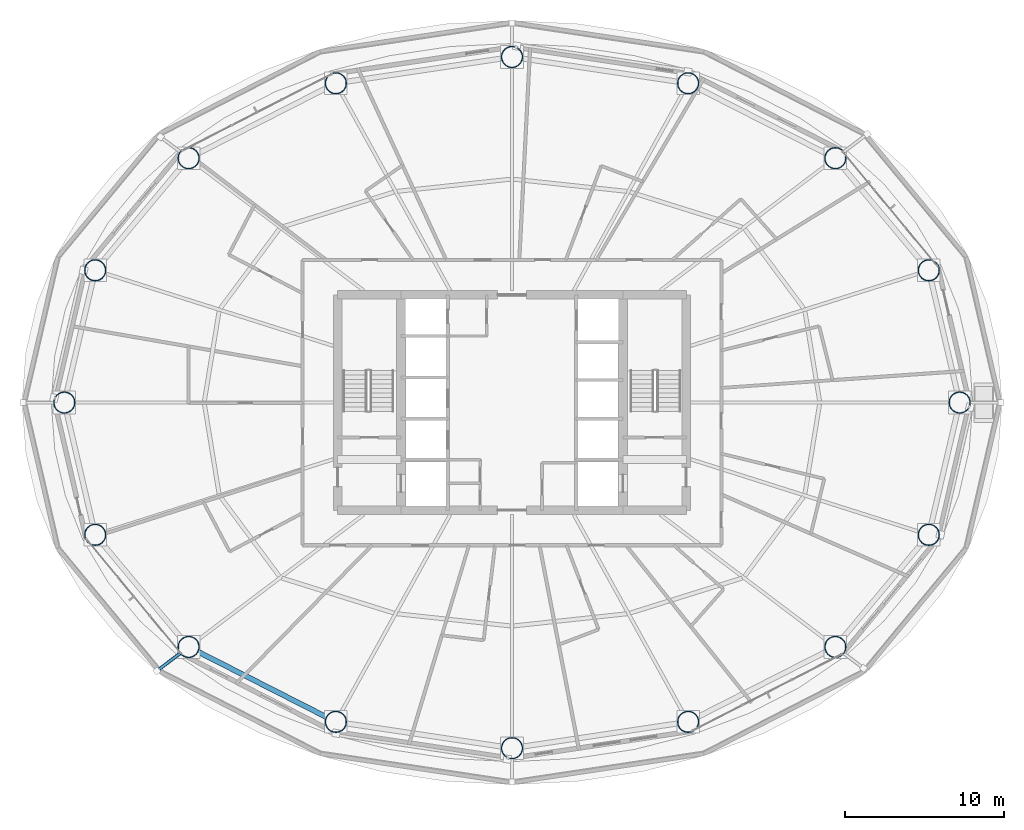
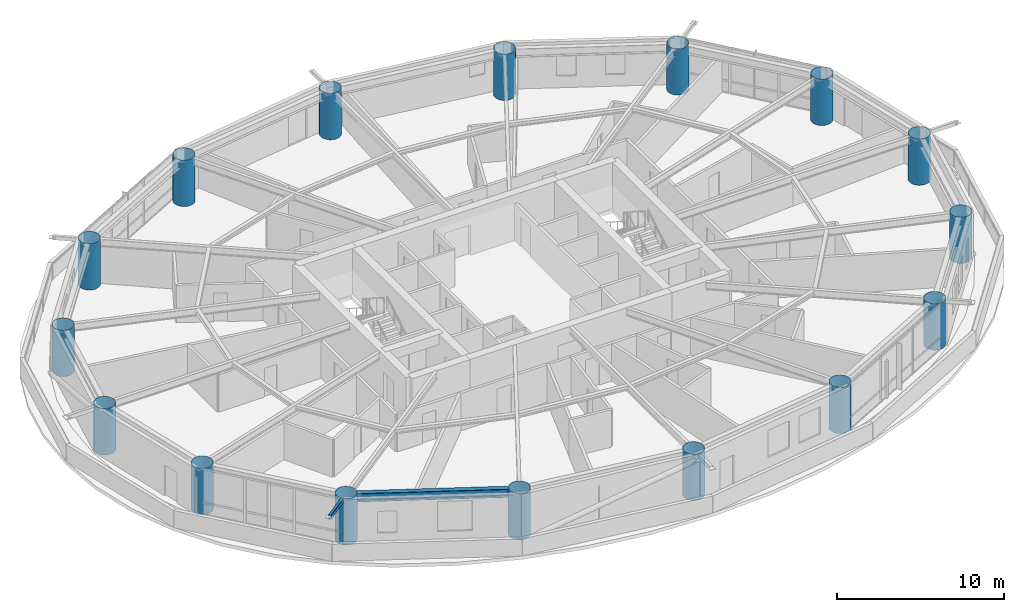
# One storey, part 1 of 25: 16 columns, 1 beam, 1 member.
"""IFC4 building model written with IfcOpenShell, lengths in metres."""

from ifc_helpers import new_model, si_unit, direction, frame, origin, origin_2d, place, context, subcontext, project, spatial, hollow_rectangle, hollow_circle, i_section, extrude, material, material_profile, profile_set, type_object, element, save


model = new_model("IFC4")

# Units and contexts
model_context = context("Model", 3, precision=1e-05, world=origin(), true_north=direction((0.0, 1.0)))
body_context = subcontext(model_context, "Body", "Model", "MODEL_VIEW")
ifc_project = project(units=[si_unit("LENGTHUNIT", "METRE"), si_unit("AREAUNIT", "SQUARE_METRE"), si_unit("VOLUMEUNIT", "CUBIC_METRE"), si_unit("PLANEANGLEUNIT", "RADIAN"), si_unit("MASSUNIT", "GRAM", prefix="KILO")], contexts=[model_context])

# Site, building, storey
site_placement = place(None, origin())
site = spatial("IfcSite", under=ifc_project, at=site_placement, CompositionType="ELEMENT")
building_placement = place(site_placement, origin())
building = spatial("IfcBuilding", under=site, at=building_placement, Name="Sarneth Arch Tower", CompositionType="ELEMENT")
storey_placement = place(building_placement, frame((0.0, 0.0, 84.0)))
storey = spatial("IfcBuildingStorey", under=building, at=storey_placement, Name="L20", CompositionType="ELEMENT", Elevation=84.0)

# Columns
ifc_material_1 = material(Name="Steel S355", Category="steel")
ifc_material_profile_1 = material_profile(ifc_material_1, hollow_circle(Radius=0.675048828125, WallThickness=0.035888671875, at=origin_2d()), Name="CHS1350x36")
ifc_profile_set_1 = profile_set([ifc_material_profile_1], Name="Steel S355")
column_type = type_object("IfcColumnType", Name="COL-MEGA-1350", PredefinedType="COLUMN", material=ifc_profile_set_1)
for number, where, z_axis, x_axis, name in (
    (1, (76.236572265625, 42.0, 0.0), (0.0, 0.0, 1.0), (1.0, 0.0, 0.0), "L20 Perimeter mega-column M01"),
    (2, (74.291259765625, 50.342529296875, 0.0), (0.0, 0.0, 1.0), (1.0, 0.0, 0.0), "L20 Perimeter mega-column M02"),
    (3, (68.397705078125, 57.4150390625, 0.0), (0.0, 0.0, 1.0), (1.0, 0.0, 0.0), "L20 Perimeter mega-column M03"),
    (4, (59.1103515625, 62.140625, 0.0), (0.0, 0.0, 1.0), (1.0, 0.0, 0.0), "L20 Perimeter mega-column M04"),
    (5, (48.0, 63.800048828125, 0.0), (0.0, 0.0, 1.0), (1.0, 0.0, 0.0), "L20 Perimeter mega-column M05"),
    (6, (36.8896484375, 62.140625, 0.0), (0.0, 0.0, 1.0), (1.0, 0.0, 0.0), "L20 Perimeter mega-column M06"),
    (7, (27.602294921875, 57.4150390625, 0.0), (0.0, 0.0, 1.0), (1.0, 0.0, 0.0), "L20 Perimeter mega-column M07"),
    (8, (21.708740234375, 50.342529296875, 0.0), (0.0, 0.0, 1.0), (1.0, 0.0, 0.0), "L20 Perimeter mega-column M08"),
    (9, (19.763427734375, 42.0, 0.0), (0.0, 0.0, 1.0), (1.0, 0.0, 0.0), "L20 Perimeter mega-column M09"),
    (10, (21.708740234375, 33.657470703125, 0.0), (0.0, 0.0, 1.0), (1.0, 0.0, 0.0), "L20 Perimeter mega-column M10"),
    (11, (27.602294921875, 26.5849609375, 0.0), (0.0, 0.0, 1.0), (1.0, 0.0, 0.0), "L20 Perimeter mega-column M11"),
    (12, (36.8896484375, 21.859375, 0.0), (0.0, 0.0, 1.0), (1.0, 0.0, 0.0), "L20 Perimeter mega-column M12"),
    (13, (48.0, 20.199951171875, 0.0), (0.0, 0.0, 1.0), (1.0, 0.0, 0.0), "L20 Perimeter mega-column M13"),
    (14, (59.1103515625, 21.859375, 0.0), (0.0, 0.0, 1.0), (1.0, 0.0, 0.0), "L20 Perimeter mega-column M14"),
    (15, (68.397705078125, 26.5849609375, 0.0), (0.0, 0.0, 1.0), (1.0, 0.0, 0.0), "L20 Perimeter mega-column M15"),
    (16, (74.291259765625, 33.657470703125, 0.0), (0.0, 0.0, 1.0), (1.0, 0.0, 0.0), "L20 Perimeter mega-column M16"),
):
    element("IfcColumn", number, at=place(storey_placement, frame(where, z_axis=z_axis, x_axis=x_axis)), inside=storey, type_object=column_type, Name=name, PredefinedType="COLUMN", context=body_context, shape_type="SweptSolid", body=[
        extrude(hollow_circle(Radius=0.675048828125, WallThickness=0.035888671875, at=origin_2d()), origin(), (0.0, 0.0, 1.0), 3.3798828125),
    ])

# Beam
ifc_material_2 = material(Name="Steel S355", Category="steel")
ifc_material_profile_2 = material_profile(ifc_material_2, i_section(OverallWidth=0.323974609375, OverallDepth=0.611083984375, WebThickness=0.0126953125, FlangeThickness=0.01904296875, FilletRadius=0.01904296875, at=origin_2d()), Name="W610x155")
ifc_profile_set_2 = profile_set([ifc_material_profile_2], Name="Steel S355")
beam_type = type_object("IfcBeamType", Name="BM-SPAN-610B", PredefinedType="SPANDREL", material=ifc_profile_set_2)
beam_placement = place(storey_placement, frame((28.203857421875, 26.279052734375, 3.074462890625), z_axis=(0.891255891792, -0.453500755619, 0.0), x_axis=(0.453500755619, 0.891255891792, 0.0)))
element("IfcBeam", 17, at=beam_placement, inside=storey, type_object=beam_type, Name="L20 Perimeter spandrel beam 11", PredefinedType="SPANDREL", context=body_context, shape_type="SweptSolid", body=[
    extrude(i_section(OverallWidth=0.323974609375, OverallDepth=0.611083984375, WebThickness=0.0126953125, FlangeThickness=0.01904296875, FilletRadius=0.01904296875, at=origin_2d()), origin(), (0.0, 0.0, 1.0), 9.070556640625),
])

# Member
ifc_material_3 = material(Name="Steel S355", Category="steel")
ifc_material_profile_3 = material_profile(ifc_material_3, hollow_rectangle(XDim=0.199951171875, YDim=0.300048828125, WallThickness=0.012451171875, InnerFilletRadius=0.018798828125, OuterFilletRadius=0.03125, at=origin_2d()), Name="RHS300x200x12.5")
ifc_profile_set_3 = profile_set([ifc_material_profile_3], Name="Steel S355")
member_type = type_object("IfcMemberType", Name="MEM-CANT-STRUT", PredefinedType="STRUT", material=ifc_profile_set_3)
member_placement = place(storey_placement, frame((27.063720703125, 26.177978515625, 3.219970703125), z_axis=(-0.797788139588, -0.602937877673, 0.0), x_axis=(0.602937877673, -0.797788139588, 0.0)))
element("IfcMember", 18, at=member_placement, inside=storey, type_object=member_type, Name="L20 Balcony cantilever bracket 11", PredefinedType="STRUT", context=body_context, shape_type="SweptSolid", body=[
    extrude(hollow_rectangle(XDim=0.199951171875, YDim=0.300048828125, WallThickness=0.012451171875, InnerFilletRadius=0.018798828125, OuterFilletRadius=0.03125, at=origin_2d()), origin(), (0.0, 0.0, 1.0), 1.845703125),
])

save(model, "model.ifc")
